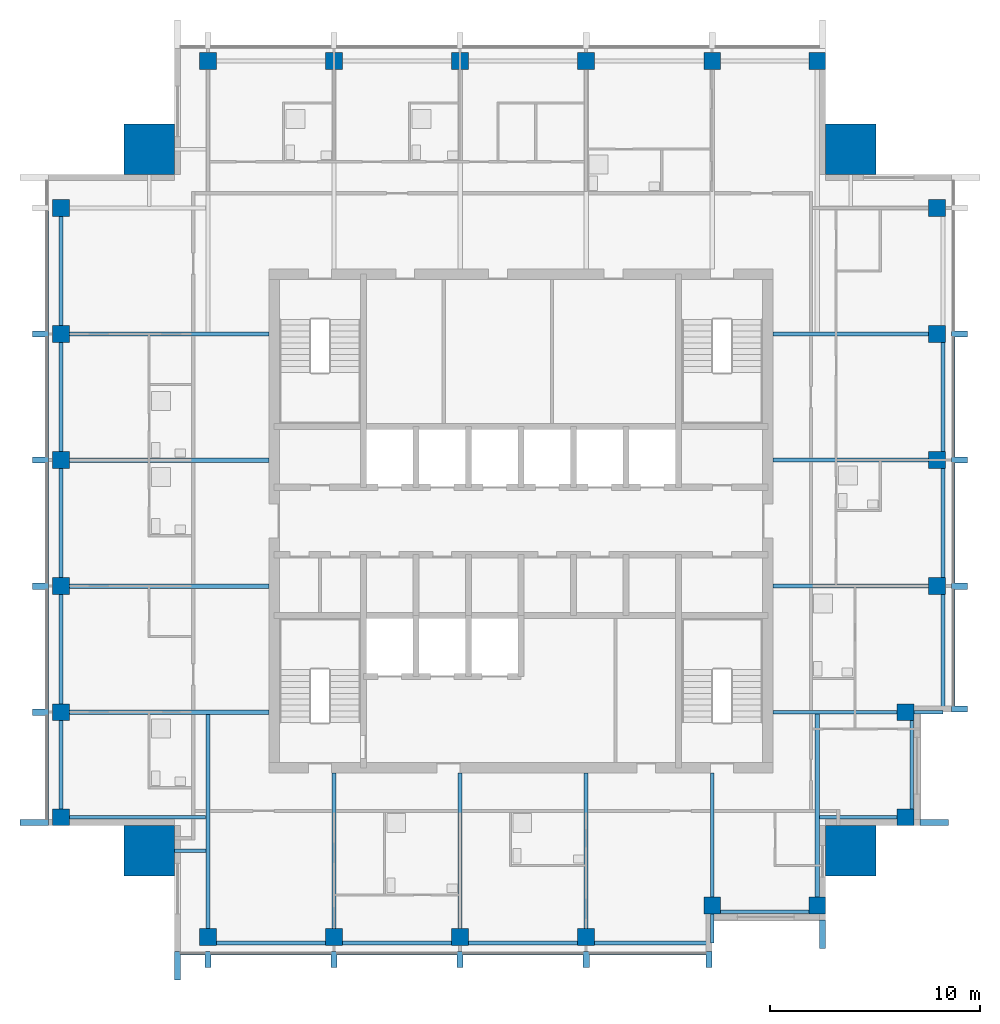
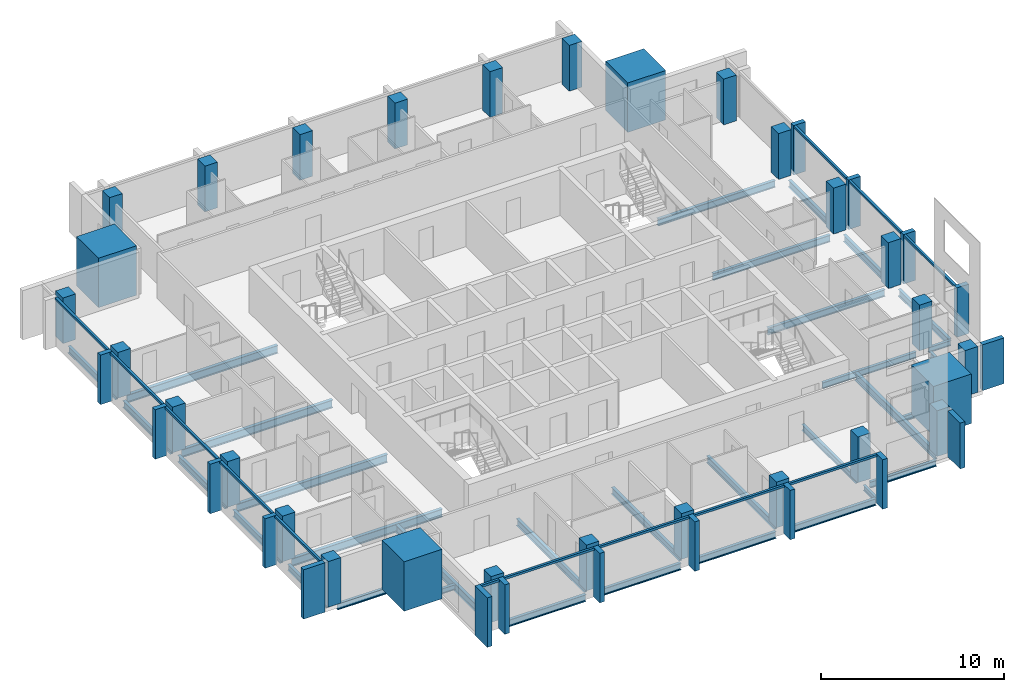
# One storey, part 1 of 9: 33 beams, 30 members, 28 columns, 3 elements without a shape of their own.
"""IFC4 building model written with IfcOpenShell, lengths in metres."""

from ifc_helpers import new_model, si_unit, direction, frame, origin, origin_2d, place, context, subcontext, project, spatial, rectangle, i_section, extrude, material, material_profile, profile_set, type_object, element, aggregate, save


model = new_model("IFC4")

# Units and contexts
model_context = context("Model", 3, precision=1e-05, world=origin(), true_north=direction((0.0, 1.0)))
body_context = subcontext(model_context, "Body", "Model", "MODEL_VIEW")
ifc_project = project(units=[si_unit("LENGTHUNIT", "METRE"), si_unit("AREAUNIT", "SQUARE_METRE"), si_unit("VOLUMEUNIT", "CUBIC_METRE"), si_unit("PLANEANGLEUNIT", "RADIAN"), si_unit("MASSUNIT", "GRAM", prefix="KILO")], contexts=[model_context])

# Site, building, storey
site_placement = place(None, origin())
site = spatial("IfcSite", under=ifc_project, at=site_placement, CompositionType="ELEMENT")
building_placement = place(site_placement, origin())
building = spatial("IfcBuilding", under=site, at=building_placement, Name="Amberfall Residences", CompositionType="ELEMENT")
storey_placement = place(building_placement, frame((0.0, 0.0, 248.800048828125)))
storey = spatial("IfcBuildingStorey", under=building, at=storey_placement, Name="L66", CompositionType="ELEMENT", Elevation=248.800048828125)

# Columns
ifc_material_1 = material(Name="Concrete C50", Category="concrete")
ifc_material_profile_1 = material_profile(ifc_material_1, rectangle(XDim=0.800048828125, YDim=0.800048828125, at=origin_2d()), Name="Column 800 x 800 C50")
ifc_profile_set_1 = profile_set([ifc_material_profile_1], Name="Concrete C50")
column_type_1 = type_object("IfcColumnType", Name="Column 800 x 800 C50", PredefinedType="COLUMN", material=ifc_profile_set_1)
for number, where, z_axis, x_axis, name in (
    (1, (59.60009765625, 25.699951171875, 0.0), (0.0, 0.0, 1.0), (1.0, 0.0, 0.0), "Column C5 L66 S1"),
    (2, (65.60009765625, 25.699951171875, 0.0), (0.0, 0.0, 1.0), (1.0, 0.0, 0.0), "Column C5 L66 S2"),
    (3, (71.60009765625, 25.699951171875, 0.0), (0.0, 0.0, 1.0), (1.0, 0.0, 0.0), "Column C5 L66 S3"),
    (4, (77.60009765625, 25.699951171875, 0.0), (0.0, 0.0, 1.0), (1.0, 0.0, 0.0), "Column C5 L66 S4"),
    (5, (83.60009765625, 27.199951171875, 0.0), (0.0, 0.0, 1.0), (1.0, 0.0, 0.0), "Column C5 L66 S5"),
    (6, (88.60009765625, 27.199951171875, 0.0), (0.0, 0.0, 1.0), (1.0, 0.0, 0.0), "Column C5 L66 S6"),
    (7, (92.800048828125, 31.39990234375, 0.0), (0.0, 0.0, 1.0), (1.0, 0.0, 0.0), "Column C5 L66 E1"),
    (8, (92.800048828125, 36.39990234375, 0.0), (0.0, 0.0, 1.0), (1.0, 0.0, 0.0), "Column C5 L66 E2"),
    (9, (94.300048828125, 42.39990234375, 0.0), (0.0, 0.0, 1.0), (1.0, 0.0, 0.0), "Column C5 L66 E3"),
    (10, (94.300048828125, 48.39990234375, 0.0), (0.0, 0.0, 1.0), (1.0, 0.0, 0.0), "Column C5 L66 E4"),
    (11, (94.300048828125, 54.39990234375, 0.0), (0.0, 0.0, 1.0), (1.0, 0.0, 0.0), "Column C5 L66 E5"),
    (12, (94.300048828125, 60.39990234375, 0.0), (0.0, 0.0, 1.0), (1.0, 0.0, 0.0), "Column C5 L66 E6"),
    (13, (59.60009765625, 67.39990234375, 0.0), (0.0, 0.0, 1.0), (1.0, 0.0, 0.0), "Column C5 L66 N1"),
    (14, (65.60009765625, 67.39990234375, 0.0), (0.0, 0.0, 1.0), (1.0, 0.0, 0.0), "Column C5 L66 N2"),
    (15, (71.60009765625, 67.39990234375, 0.0), (0.0, 0.0, 1.0), (1.0, 0.0, 0.0), "Column C5 L66 N3"),
    (16, (77.60009765625, 67.39990234375, 0.0), (0.0, 0.0, 1.0), (1.0, 0.0, 0.0), "Column C5 L66 N4"),
    (17, (83.60009765625, 67.39990234375, 0.0), (0.0, 0.0, 1.0), (1.0, 0.0, 0.0), "Column C5 L66 N5"),
    (18, (88.60009765625, 67.39990234375, 0.0), (0.0, 0.0, 1.0), (1.0, 0.0, 0.0), "Column C5 L66 N6"),
    (19, (52.60009765625, 31.39990234375, 0.0), (0.0, 0.0, 1.0), (1.0, 0.0, 0.0), "Column C5 L66 W1"),
    (20, (52.60009765625, 36.39990234375, 0.0), (0.0, 0.0, 1.0), (1.0, 0.0, 0.0), "Column C5 L66 W2"),
    (21, (52.60009765625, 42.39990234375, 0.0), (0.0, 0.0, 1.0), (1.0, 0.0, 0.0), "Column C5 L66 W3"),
    (22, (52.60009765625, 48.39990234375, 0.0), (0.0, 0.0, 1.0), (1.0, 0.0, 0.0), "Column C5 L66 W4"),
    (23, (52.60009765625, 54.39990234375, 0.0), (0.0, 0.0, 1.0), (1.0, 0.0, 0.0), "Column C5 L66 W5"),
    (24, (52.60009765625, 60.39990234375, 0.0), (0.0, 0.0, 1.0), (1.0, 0.0, 0.0), "Column C5 L66 W6"),
):
    element("IfcColumn", number, at=place(storey_placement, frame(where, z_axis=z_axis, x_axis=x_axis)), inside=storey, type_object=column_type_1, Name=name, PredefinedType="COLUMN", context=body_context, shape_type="SweptSolid", body=[
        extrude(rectangle(XDim=0.800048828125, YDim=0.800048828125, at=origin_2d()), origin(), (0.0, 0.0, 1.0), 3.050048828125),
    ])
ifc_material_profile_2 = material_profile(ifc_material_1, rectangle(XDim=2.39990234375, YDim=2.39990234375, at=origin_2d()), Name="Mega column 2400 x 2400 C50")
ifc_profile_set_2 = profile_set([ifc_material_profile_2], Name="Concrete C50")
column_type_2 = type_object("IfcColumnType", Name="Mega column 2400 x 2400 C50", PredefinedType="COLUMN", material=ifc_profile_set_2)
for number, where, z_axis, x_axis, name in (
    (25, (56.800048828125, 29.800048828125, 0.0), (0.0, 0.0, 1.0), (1.0, 0.0, 0.0), "Mega column MC11 L66 SW"),
    (26, (90.199951171875, 29.800048828125, 0.0), (0.0, 0.0, 1.0), (1.0, 0.0, 0.0), "Mega column MC11 L66 SE"),
    (27, (90.199951171875, 63.199951171875, 0.0), (0.0, 0.0, 1.0), (1.0, 0.0, 0.0), "Mega column MC11 L66 NE"),
    (28, (56.800048828125, 63.199951171875, 0.0), (0.0, 0.0, 1.0), (1.0, 0.0, 0.0), "Mega column MC11 L66 NW"),
):
    element("IfcColumn", number, at=place(storey_placement, frame(where, z_axis=z_axis, x_axis=x_axis)), inside=storey, type_object=column_type_2, Name=name, PredefinedType="COLUMN", context=body_context, shape_type="SweptSolid", body=[
        extrude(rectangle(XDim=2.39990234375, YDim=2.39990234375, at=origin_2d()), origin(), (0.0, 0.0, 1.0), 3.300048828125),
    ])

# Curtain wall, members
ifc_material_2 = material(Name="Bronze anodised aluminium and glass", Category="aluminium")
curtain_wall_type = type_object("IfcCurtainWallType", Name="Curtain wall CW1 tower unit", PredefinedType="USERDEFINED", material=ifc_material_2)
curtain_wall_1_placement = place(storey_placement, origin())
curtain_wall_1 = element("IfcCurtainWall", 29, at=curtain_wall_1_placement, inside=storey, type_object=curtain_wall_type, Name="Curtain wall L66 S S1", ObjectType="UNITISED CURTAIN WALL", PredefinedType="USERDEFINED")
ifc_material_3 = material(Name="Bronze anodised aluminium", Category="aluminium")
ifc_material_profile_3 = material_profile(ifc_material_3, rectangle(XDim=0.14990234375, YDim=0.14990234375, at=origin_2d()), Name="CW1 transom 150 x 150 bronze")
ifc_profile_set_3 = profile_set([ifc_material_profile_3], Name="Bronze anodised aluminium")
member_type_1 = type_object("IfcMemberType", Name="CW1 transom 150 x 150 bronze", PredefinedType="USERDEFINED", material=ifc_profile_set_3)
member_1_placement = place(storey_placement, frame((58.300048828125, 24.925048828125, 2.974853515625), z_axis=(1.0, 0.0, 0.0), x_axis=(0.0, 1.0, 0.0)))
member_1 = element("IfcMember", 30, at=member_1_placement, type_object=member_type_1, Name="CW1 transom 1.1", ObjectType="TRANSOM", PredefinedType="USERDEFINED", context=body_context, shape_type="SweptSolid", body=[
    extrude(rectangle(XDim=0.14990234375, YDim=0.14990234375, at=origin_2d()), origin(), (0.0, 0.0, 1.0), 1.14990234375),
])
member_2_placement = place(storey_placement, frame((59.75, 24.925048828125, 2.974853515625), z_axis=(1.0, 0.0, 0.0), x_axis=(0.0, 1.0, 0.0)))
member_2 = element("IfcMember", 31, at=member_2_placement, type_object=member_type_1, Name="CW1 transom 2.1", ObjectType="TRANSOM", PredefinedType="USERDEFINED", context=body_context, shape_type="SweptSolid", body=[
    extrude(rectangle(XDim=0.14990234375, YDim=0.14990234375, at=origin_2d()), origin(), (0.0, 0.0, 1.0), 5.699951171875),
])
member_3_placement = place(storey_placement, frame((65.75, 24.925048828125, 2.974853515625), z_axis=(1.0, 0.0, 0.0), x_axis=(0.0, 1.0, 0.0)))
member_3 = element("IfcMember", 32, at=member_3_placement, type_object=member_type_1, Name="CW1 transom 3.1", ObjectType="TRANSOM", PredefinedType="USERDEFINED", context=body_context, shape_type="SweptSolid", body=[
    extrude(rectangle(XDim=0.14990234375, YDim=0.14990234375, at=origin_2d()), origin(), (0.0, 0.0, 1.0), 5.699951171875),
])
member_4_placement = place(storey_placement, frame((71.75, 24.925048828125, 2.974853515625), z_axis=(1.0, 0.0, 0.0), x_axis=(0.0, 1.0, 0.0)))
member_4 = element("IfcMember", 33, at=member_4_placement, type_object=member_type_1, Name="CW1 transom 4.1", ObjectType="TRANSOM", PredefinedType="USERDEFINED", context=body_context, shape_type="SweptSolid", body=[
    extrude(rectangle(XDim=0.14990234375, YDim=0.14990234375, at=origin_2d()), origin(), (0.0, 0.0, 1.0), 5.699951171875),
])
member_5_placement = place(storey_placement, frame((77.75, 24.925048828125, 2.974853515625), z_axis=(1.0, 0.0, 0.0), x_axis=(0.0, 1.0, 0.0)))
member_5 = element("IfcMember", 34, at=member_5_placement, type_object=member_type_1, Name="CW1 transom 5.1", ObjectType="TRANSOM", PredefinedType="USERDEFINED", context=body_context, shape_type="SweptSolid", body=[
    extrude(rectangle(XDim=0.14990234375, YDim=0.14990234375, at=origin_2d()), origin(), (0.0, 0.0, 1.0), 5.550048828125),
])

curtain_wall_2_placement = place(storey_placement, origin())
curtain_wall_2 = element("IfcCurtainWall", 35, at=curtain_wall_2_placement, inside=storey, type_object=curtain_wall_type, Name="Curtain wall L66 E E3", ObjectType="UNITISED CURTAIN WALL", PredefinedType="USERDEFINED")
member_6_placement = place(storey_placement, frame((95.074951171875, 36.699951171875, 2.974853515625), z_axis=(0.0, 1.0, 0.0), x_axis=(-1.0, 0.0, 0.0)))
member_6 = element("IfcMember", 36, at=member_6_placement, type_object=member_type_1, Name="CW1 transom 1.1", ObjectType="TRANSOM", PredefinedType="USERDEFINED", context=body_context, shape_type="SweptSolid", body=[
    extrude(rectangle(XDim=0.14990234375, YDim=0.14990234375, at=origin_2d()), origin(), (0.0, 0.0, 1.0), 5.550048828125),
])
member_7_placement = place(storey_placement, frame((95.074951171875, 42.550048828125, 2.974853515625), z_axis=(0.0, 1.0, 0.0), x_axis=(-1.0, 0.0, 0.0)))
member_7 = element("IfcMember", 37, at=member_7_placement, type_object=member_type_1, Name="CW1 transom 2.1", ObjectType="TRANSOM", PredefinedType="USERDEFINED", context=body_context, shape_type="SweptSolid", body=[
    extrude(rectangle(XDim=0.14990234375, YDim=0.14990234375, at=origin_2d()), origin(), (0.0, 0.0, 1.0), 5.699951171875),
])
member_8_placement = place(storey_placement, frame((95.074951171875, 48.550048828125, 2.974853515625), z_axis=(0.0, 1.0, 0.0), x_axis=(-1.0, 0.0, 0.0)))
member_8 = element("IfcMember", 38, at=member_8_placement, type_object=member_type_1, Name="CW1 transom 3.1", ObjectType="TRANSOM", PredefinedType="USERDEFINED", context=body_context, shape_type="SweptSolid", body=[
    extrude(rectangle(XDim=0.14990234375, YDim=0.14990234375, at=origin_2d()), origin(), (0.0, 0.0, 1.0), 5.699951171875),
])

curtain_wall_3_placement = place(storey_placement, origin())
curtain_wall_3 = element("IfcCurtainWall", 39, at=curtain_wall_3_placement, inside=storey, type_object=curtain_wall_type, Name="Curtain wall L66 W W1", ObjectType="UNITISED CURTAIN WALL", PredefinedType="USERDEFINED")
member_9_placement = place(storey_placement, frame((51.925048828125, 60.25, 2.974853515625), z_axis=(0.0, -1.0, 0.0), x_axis=(1.0, 0.0, 0.0)))
member_9 = element("IfcMember", 40, at=member_9_placement, type_object=member_type_1, Name="CW1 transom 2.1", ObjectType="TRANSOM", PredefinedType="USERDEFINED", context=body_context, shape_type="SweptSolid", body=[
    extrude(rectangle(XDim=0.14990234375, YDim=0.14990234375, at=origin_2d()), origin(), (0.0, 0.0, 1.0), 5.699951171875),
])
member_10_placement = place(storey_placement, frame((51.925048828125, 54.25, 2.974853515625), z_axis=(0.0, -1.0, 0.0), x_axis=(1.0, 0.0, 0.0)))
member_10 = element("IfcMember", 41, at=member_10_placement, type_object=member_type_1, Name="CW1 transom 3.1", ObjectType="TRANSOM", PredefinedType="USERDEFINED", context=body_context, shape_type="SweptSolid", body=[
    extrude(rectangle(XDim=0.14990234375, YDim=0.14990234375, at=origin_2d()), origin(), (0.0, 0.0, 1.0), 5.699951171875),
])
member_11_placement = place(storey_placement, frame((51.925048828125, 48.25, 2.974853515625), z_axis=(0.0, -1.0, 0.0), x_axis=(1.0, 0.0, 0.0)))
member_11 = element("IfcMember", 42, at=member_11_placement, type_object=member_type_1, Name="CW1 transom 4.1", ObjectType="TRANSOM", PredefinedType="USERDEFINED", context=body_context, shape_type="SweptSolid", body=[
    extrude(rectangle(XDim=0.14990234375, YDim=0.14990234375, at=origin_2d()), origin(), (0.0, 0.0, 1.0), 5.699951171875),
])
member_12_placement = place(storey_placement, frame((51.925048828125, 42.25, 2.974853515625), z_axis=(0.0, -1.0, 0.0), x_axis=(1.0, 0.0, 0.0)))
member_12 = element("IfcMember", 43, at=member_12_placement, type_object=member_type_1, Name="CW1 transom 5.1", ObjectType="TRANSOM", PredefinedType="USERDEFINED", context=body_context, shape_type="SweptSolid", body=[
    extrude(rectangle(XDim=0.14990234375, YDim=0.14990234375, at=origin_2d()), origin(), (0.0, 0.0, 1.0), 5.699951171875),
])
member_13_placement = place(storey_placement, frame((51.925048828125, 36.25, 2.974853515625), z_axis=(0.0, -1.0, 0.0), x_axis=(1.0, 0.0, 0.0)))
member_13 = element("IfcMember", 44, at=member_13_placement, type_object=member_type_1, Name="CW1 transom 6.1", ObjectType="TRANSOM", PredefinedType="USERDEFINED", context=body_context, shape_type="SweptSolid", body=[
    extrude(rectangle(XDim=0.14990234375, YDim=0.14990234375, at=origin_2d()), origin(), (0.0, 0.0, 1.0), 4.949951171875),
])

# Beams
ifc_material_4 = material(Name="Steel S355", Category="steel")
ifc_material_profile_4 = material_profile(ifc_material_4, i_section(OverallWidth=0.171142578125, OverallDepth=0.351318359375, WebThickness=0.007080078125, FlangeThickness=0.009765625, FilletRadius=0.01025390625, at=origin_2d()), Name="UB 356x171x45")
ifc_profile_set_4 = profile_set([ifc_material_profile_4], Name="Steel S355")
beam_type_1 = type_object("IfcBeamType", Name="Cantilever girder UB 356x171x45", PredefinedType="BEAM", material=ifc_profile_set_4)
for number, where, z_axis, x_axis, name in (
    (45, (83.60009765625, 26.800048828125, -0.42578125), (0.0, -1.0, 0.0), (1.0, 0.0, 0.0), "Cantilever girder B8 L66 06"),
    (46, (93.199951171875, 36.39990234375, -0.42578125), (1.0, 0.0, 0.0), (0.0, 1.0, 0.0), "Cantilever girder B8 L66 18"),
):
    element("IfcBeam", number, at=place(storey_placement, frame(where, z_axis=z_axis, x_axis=x_axis)), inside=storey, type_object=beam_type_1, Name=name, PredefinedType="BEAM", context=body_context, shape_type="SweptSolid", body=[
        extrude(i_section(OverallWidth=0.171142578125, OverallDepth=0.351318359375, WebThickness=0.007080078125, FlangeThickness=0.009765625, FilletRadius=0.01025390625, at=origin_2d()), origin(), (0.0, 0.0, 1.0), 1.400146484375),
    ])

# Member
ifc_material_profile_5 = material_profile(ifc_material_3, rectangle(XDim=1.35009765625, YDim=0.300048828125, at=origin_2d()), Name="Corner fin 300 x 1350 bronze")
ifc_profile_set_5 = profile_set([ifc_material_profile_5], Name="Bronze anodised aluminium")
member_type_2 = type_object("IfcMemberType", Name="Corner fin 300 x 1350 bronze", PredefinedType="MULLION", material=ifc_profile_set_5)
member_14_placement = place(storey_placement, frame((58.14990234375, 24.324951171875, -0.25), z_axis=(0.0, 0.0, 1.0), x_axis=(0.0, 1.0, 0.0)))
member_14 = element("IfcMember", 47, at=member_14_placement, type_object=member_type_2, Name="CW FIN 1", PredefinedType="MULLION", context=body_context, shape_type="SweptSolid", body=[
    extrude(rectangle(XDim=1.35009765625, YDim=0.300048828125, at=origin_2d()), origin(), (0.0, 0.0, 1.0), 3.300048828125),
])

member_15_placement = place(storey_placement, frame((51.324951171875, 31.14990234375, -0.25), z_axis=(0.0, 0.0, 1.0), x_axis=(1.0, 0.0, 0.0)))
member_15 = element("IfcMember", 48, at=member_15_placement, type_object=member_type_2, Name="CW FIN 7", PredefinedType="MULLION", context=body_context, shape_type="SweptSolid", body=[
    extrude(rectangle(XDim=1.35009765625, YDim=0.300048828125, at=origin_2d()), origin(), (0.0, 0.0, 1.0), 3.300048828125),
])

# Beams
ifc_material_profile_6 = material_profile(ifc_material_4, i_section(OverallWidth=0.177734375, OverallDepth=0.402587890625, WebThickness=0.0078125, FlangeThickness=0.010986328125, FilletRadius=0.01025390625, at=origin_2d()), Name="UB 406x178x54")
ifc_profile_set_6 = profile_set([ifc_material_profile_6], Name="Steel S355")
beam_type_2 = type_object("IfcBeamType", Name="Edge beam UB 406x178x54", PredefinedType="SPANDREL", material=ifc_profile_set_6)
for number, where, z_axis, x_axis, name in (
    (49, (84.0, 26.89990234375, -0.451416015625), (1.0, 0.0, 0.0), (0.0, 1.0, 0.0), "Edge beam B14 L66 05"),
    (50, (93.10009765625, 31.800048828125, -0.451416015625), (0.0, 1.0, 0.0), (-1.0, 0.0, 0.0), "Edge beam B14 L66 13"),
    (51, (52.60009765625, 31.800048828125, -0.451416015625), (0.0, 1.0, 0.0), (-1.0, 0.0, 0.0), "Edge beam B14 L66 36"),
):
    element("IfcBeam", number, at=place(storey_placement, frame(where, z_axis=z_axis, x_axis=x_axis)), inside=storey, type_object=beam_type_2, Name=name, PredefinedType="SPANDREL", context=body_context, shape_type="SweptSolid", body=[
        extrude(i_section(OverallWidth=0.177734375, OverallDepth=0.402587890625, WebThickness=0.0078125, FlangeThickness=0.010986328125, FilletRadius=0.01025390625, at=origin_2d()), origin(), (0.0, 0.0, 1.0), 4.199951171875),
    ])
ifc_material_profile_7 = material_profile(ifc_material_4, i_section(OverallWidth=0.18994140625, OverallDepth=0.453369140625, WebThickness=0.008544921875, FlangeThickness=0.0126953125, FilletRadius=0.01025390625, at=origin_2d()), Name="UB 457x191x67")
ifc_profile_set_7 = profile_set([ifc_material_profile_7], Name="Steel S355")
beam_type_3 = type_object("IfcBeamType", Name="Edge beam UB 457x191x67", PredefinedType="SPANDREL", material=ifc_profile_set_7)
for number, where, z_axis, x_axis, name in (
    (52, (60.0, 25.39990234375, -0.476806640625), (1.0, 0.0, 0.0), (0.0, 1.0, 0.0), "Edge beam B1 L66 01"),
    (53, (66.0, 25.39990234375, -0.476806640625), (1.0, 0.0, 0.0), (0.0, 1.0, 0.0), "Edge beam B1 L66 02"),
    (54, (72.0, 25.39990234375, -0.476806640625), (1.0, 0.0, 0.0), (0.0, 1.0, 0.0), "Edge beam B1 L66 03"),
):
    element("IfcBeam", number, at=place(storey_placement, frame(where, z_axis=z_axis, x_axis=x_axis)), inside=storey, type_object=beam_type_3, Name=name, PredefinedType="SPANDREL", context=body_context, shape_type="SweptSolid", body=[
        extrude(i_section(OverallWidth=0.18994140625, OverallDepth=0.453369140625, WebThickness=0.008544921875, FlangeThickness=0.0126953125, FilletRadius=0.01025390625, at=origin_2d()), origin(), (0.0, 0.0, 1.0), 5.199951171875),
    ])
for number, where, z_axis, x_axis, name in (
    (55, (78.0, 25.39990234375, -0.476806640625), (1.0, 0.0, 0.0), (0.0, 1.0, 0.0), "Edge beam B1 L66 04"),
    (56, (94.60009765625, 36.47998046875, -0.476806640625), (0.0, 1.0, 0.0), (-1.0, 0.0, 0.0), "Edge beam B1 L66 14"),
):
    element("IfcBeam", number, at=place(storey_placement, frame(where, z_axis=z_axis, x_axis=x_axis)), inside=storey, type_object=beam_type_3, Name=name, PredefinedType="SPANDREL", context=body_context, shape_type="SweptSolid", body=[
        extrude(i_section(OverallWidth=0.18994140625, OverallDepth=0.453369140625, WebThickness=0.008544921875, FlangeThickness=0.0126953125, FilletRadius=0.01025390625, at=origin_2d()), origin(), (0.0, 0.0, 1.0), 5.52001953125),
    ])
for number, where, z_axis, x_axis, name in (
    (57, (94.60009765625, 42.800048828125, -0.476806640625), (0.0, 1.0, 0.0), (-1.0, 0.0, 0.0), "Edge beam B1 L66 15"),
    (58, (94.60009765625, 48.800048828125, -0.476806640625), (0.0, 1.0, 0.0), (-1.0, 0.0, 0.0), "Edge beam B1 L66 16"),
    (59, (52.60009765625, 36.800048828125, -0.476806640625), (0.0, 1.0, 0.0), (-1.0, 0.0, 0.0), "Edge beam B1 L66 37"),
    (60, (52.60009765625, 42.800048828125, -0.476806640625), (0.0, 1.0, 0.0), (-1.0, 0.0, 0.0), "Edge beam B1 L66 38"),
    (61, (52.60009765625, 48.800048828125, -0.476806640625), (0.0, 1.0, 0.0), (-1.0, 0.0, 0.0), "Edge beam B1 L66 39"),
    (62, (52.60009765625, 54.800048828125, -0.476806640625), (0.0, 1.0, 0.0), (-1.0, 0.0, 0.0), "Edge beam B1 L66 40"),
):
    element("IfcBeam", number, at=place(storey_placement, frame(where, z_axis=z_axis, x_axis=x_axis)), inside=storey, type_object=beam_type_3, Name=name, PredefinedType="SPANDREL", context=body_context, shape_type="SweptSolid", body=[
        extrude(i_section(OverallWidth=0.18994140625, OverallDepth=0.453369140625, WebThickness=0.008544921875, FlangeThickness=0.0126953125, FilletRadius=0.01025390625, at=origin_2d()), origin(), (0.0, 0.0, 1.0), 5.199951171875),
    ])

# Member
ifc_material_profile_8 = material_profile(ifc_material_3, rectangle(XDim=0.75, YDim=0.300048828125, at=origin_2d()), Name="Fin 300 x 750 bronze")
ifc_profile_set_8 = profile_set([ifc_material_profile_8], Name="Bronze anodised aluminium")
member_type_3 = type_object("IfcMemberType", Name="Fin 300 x 750 bronze", PredefinedType="MULLION", material=ifc_profile_set_8)
member_16_placement = place(storey_placement, frame((59.60009765625, 24.625, -0.25), z_axis=(0.0, 0.0, 1.0), x_axis=(0.0, 1.0, 0.0)))
member_16 = element("IfcMember", 63, at=member_16_placement, type_object=member_type_3, Name="CW FIN 2", PredefinedType="MULLION", context=body_context, shape_type="SweptSolid", body=[
    extrude(rectangle(XDim=0.75, YDim=0.300048828125, at=origin_2d()), origin(), (0.0, 0.0, 1.0), 3.300048828125),
])

member_17_placement = place(storey_placement, frame((65.60009765625, 24.625, -0.25), z_axis=(0.0, 0.0, 1.0), x_axis=(0.0, 1.0, 0.0)))
member_17 = element("IfcMember", 64, at=member_17_placement, type_object=member_type_3, Name="CW FIN 3", PredefinedType="MULLION", context=body_context, shape_type="SweptSolid", body=[
    extrude(rectangle(XDim=0.75, YDim=0.300048828125, at=origin_2d()), origin(), (0.0, 0.0, 1.0), 3.300048828125),
])

member_18_placement = place(storey_placement, frame((71.60009765625, 24.625, -0.25), z_axis=(0.0, 0.0, 1.0), x_axis=(0.0, 1.0, 0.0)))
member_18 = element("IfcMember", 65, at=member_18_placement, type_object=member_type_3, Name="CW FIN 4", PredefinedType="MULLION", context=body_context, shape_type="SweptSolid", body=[
    extrude(rectangle(XDim=0.75, YDim=0.300048828125, at=origin_2d()), origin(), (0.0, 0.0, 1.0), 3.300048828125),
])

member_19_placement = place(storey_placement, frame((77.60009765625, 24.625, -0.25), z_axis=(0.0, 0.0, 1.0), x_axis=(0.0, 1.0, 0.0)))
member_19 = element("IfcMember", 66, at=member_19_placement, type_object=member_type_3, Name="CW FIN 5", PredefinedType="MULLION", context=body_context, shape_type="SweptSolid", body=[
    extrude(rectangle(XDim=0.75, YDim=0.300048828125, at=origin_2d()), origin(), (0.0, 0.0, 1.0), 3.300048828125),
])

member_20_placement = place(storey_placement, frame((83.449951171875, 24.625, -0.25), z_axis=(0.0, 0.0, 1.0), x_axis=(0.0, 1.0, 0.0)))
member_20 = element("IfcMember", 67, at=member_20_placement, type_object=member_type_3, Name="CW FIN 6", PredefinedType="MULLION", context=body_context, shape_type="SweptSolid", body=[
    extrude(rectangle(XDim=0.75, YDim=0.300048828125, at=origin_2d()), origin(), (0.0, 0.0, 1.0), 3.300048828125),
])

aggregate(curtain_wall_1, [member_14, member_16, member_17, member_18, member_19, member_20, member_1, member_2, member_3, member_4, member_5])

member_21_placement = place(storey_placement, frame((95.375, 36.550048828125, -0.25), z_axis=(0.0, 0.0, 1.0), x_axis=(-1.0, 0.0, 0.0)))
member_21 = element("IfcMember", 68, at=member_21_placement, type_object=member_type_3, Name="CW FIN 1", PredefinedType="MULLION", context=body_context, shape_type="SweptSolid", body=[
    extrude(rectangle(XDim=0.75, YDim=0.300048828125, at=origin_2d()), origin(), (0.0, 0.0, 1.0), 3.300048828125),
])

member_22_placement = place(storey_placement, frame((95.375, 42.39990234375, -0.25), z_axis=(0.0, 0.0, 1.0), x_axis=(-1.0, 0.0, 0.0)))
member_22 = element("IfcMember", 69, at=member_22_placement, type_object=member_type_3, Name="CW FIN 2", PredefinedType="MULLION", context=body_context, shape_type="SweptSolid", body=[
    extrude(rectangle(XDim=0.75, YDim=0.300048828125, at=origin_2d()), origin(), (0.0, 0.0, 1.0), 3.300048828125),
])

member_23_placement = place(storey_placement, frame((95.375, 48.39990234375, -0.25), z_axis=(0.0, 0.0, 1.0), x_axis=(-1.0, 0.0, 0.0)))
member_23 = element("IfcMember", 70, at=member_23_placement, type_object=member_type_3, Name="CW FIN 3", PredefinedType="MULLION", context=body_context, shape_type="SweptSolid", body=[
    extrude(rectangle(XDim=0.75, YDim=0.300048828125, at=origin_2d()), origin(), (0.0, 0.0, 1.0), 3.300048828125),
])

member_24_placement = place(storey_placement, frame((95.375, 54.39990234375, -0.25), z_axis=(0.0, 0.0, 1.0), x_axis=(-1.0, 0.0, 0.0)))
member_24 = element("IfcMember", 71, at=member_24_placement, type_object=member_type_3, Name="CW FIN 4", PredefinedType="MULLION", context=body_context, shape_type="SweptSolid", body=[
    extrude(rectangle(XDim=0.75, YDim=0.300048828125, at=origin_2d()), origin(), (0.0, 0.0, 1.0), 3.300048828125),
])

aggregate(curtain_wall_2, [member_21, member_22, member_23, member_24, member_6, member_7, member_8])

member_25_placement = place(storey_placement, frame((51.625, 54.39990234375, -0.25), z_axis=(0.0, 0.0, 1.0), x_axis=(1.0, 0.0, 0.0)))
member_25 = element("IfcMember", 72, at=member_25_placement, type_object=member_type_3, Name="CW FIN 3", PredefinedType="MULLION", context=body_context, shape_type="SweptSolid", body=[
    extrude(rectangle(XDim=0.75, YDim=0.300048828125, at=origin_2d()), origin(), (0.0, 0.0, 1.0), 3.300048828125),
])

member_26_placement = place(storey_placement, frame((51.625, 48.39990234375, -0.25), z_axis=(0.0, 0.0, 1.0), x_axis=(1.0, 0.0, 0.0)))
member_26 = element("IfcMember", 73, at=member_26_placement, type_object=member_type_3, Name="CW FIN 4", PredefinedType="MULLION", context=body_context, shape_type="SweptSolid", body=[
    extrude(rectangle(XDim=0.75, YDim=0.300048828125, at=origin_2d()), origin(), (0.0, 0.0, 1.0), 3.300048828125),
])

member_27_placement = place(storey_placement, frame((51.625, 42.39990234375, -0.25), z_axis=(0.0, 0.0, 1.0), x_axis=(1.0, 0.0, 0.0)))
member_27 = element("IfcMember", 74, at=member_27_placement, type_object=member_type_3, Name="CW FIN 5", PredefinedType="MULLION", context=body_context, shape_type="SweptSolid", body=[
    extrude(rectangle(XDim=0.75, YDim=0.300048828125, at=origin_2d()), origin(), (0.0, 0.0, 1.0), 3.300048828125),
])

member_28_placement = place(storey_placement, frame((51.625, 36.39990234375, -0.25), z_axis=(0.0, 0.0, 1.0), x_axis=(1.0, 0.0, 0.0)))
member_28 = element("IfcMember", 75, at=member_28_placement, type_object=member_type_3, Name="CW FIN 6", PredefinedType="MULLION", context=body_context, shape_type="SweptSolid", body=[
    extrude(rectangle(XDim=0.75, YDim=0.300048828125, at=origin_2d()), origin(), (0.0, 0.0, 1.0), 3.300048828125),
])

aggregate(curtain_wall_3, [member_25, member_26, member_27, member_28, member_15, member_9, member_10, member_11, member_12, member_13])

# Beams
ifc_material_profile_9 = material_profile(ifc_material_4, i_section(OverallWidth=0.171142578125, OverallDepth=0.351318359375, WebThickness=0.007080078125, FlangeThickness=0.009765625, FilletRadius=0.01025390625, at=origin_2d()), Name="UB 356x171x45")
ifc_profile_set_9 = profile_set([ifc_material_profile_9], Name="Steel S355")
beam_type_4 = type_object("IfcBeamType", Name="Floor girder UB 356x171x45", PredefinedType="BEAM", material=ifc_profile_set_9)
beam_1_placement = place(storey_placement, frame((92.39990234375, 31.39990234375, -0.42578125), z_axis=(-1.0, 0.0, 0.0), x_axis=(0.0, -1.0, 0.0)))
element("IfcBeam", 76, at=beam_1_placement, inside=storey, type_object=beam_type_4, Name="Floor girder B11 L66 19", PredefinedType="BEAM", context=body_context, shape_type="SweptSolid", body=[
    extrude(i_section(OverallWidth=0.171142578125, OverallDepth=0.351318359375, WebThickness=0.007080078125, FlangeThickness=0.009765625, FilletRadius=0.01025390625, at=origin_2d()), origin(), (0.0, 0.0, 1.0), 3.679931640625),
])
ifc_material_profile_10 = material_profile(ifc_material_4, i_section(OverallWidth=0.177734375, OverallDepth=0.402587890625, WebThickness=0.0078125, FlangeThickness=0.010986328125, FilletRadius=0.01025390625, at=origin_2d()), Name="UB 406x178x54")
ifc_profile_set_10 = profile_set([ifc_material_profile_10], Name="Steel S355")
beam_type_5 = type_object("IfcBeamType", Name="Floor girder UB 406x178x54", PredefinedType="BEAM", material=ifc_profile_set_10)
for number, where, z_axis, x_axis, name in (
    (77, (83.60009765625, 27.60009765625, -0.451416015625), (0.0, 1.0, 0.0), (-1.0, 0.0, 0.0), "Floor girder B4 L66 11"),
    (78, (92.39990234375, 36.39990234375, -0.451416015625), (-1.0, 0.0, 0.0), (0.0, -1.0, 0.0), "Floor girder B4 L66 20"),
):
    element("IfcBeam", number, at=place(storey_placement, frame(where, z_axis=z_axis, x_axis=x_axis)), inside=storey, type_object=beam_type_5, Name=name, PredefinedType="BEAM", context=body_context, shape_type="SweptSolid", body=[
        extrude(i_section(OverallWidth=0.177734375, OverallDepth=0.402587890625, WebThickness=0.0078125, FlangeThickness=0.010986328125, FilletRadius=0.01025390625, at=origin_2d()), origin(), (0.0, 0.0, 1.0), 5.89990234375),
    ])
beam_2_placement = place(storey_placement, frame((53.0, 31.39990234375, -0.451416015625), z_axis=(1.0, 0.0, 0.0), x_axis=(0.0, 1.0, 0.0)))
element("IfcBeam", 79, at=beam_2_placement, inside=storey, type_object=beam_type_5, Name="Floor girder B4 L66 41", PredefinedType="BEAM", context=body_context, shape_type="SweptSolid", body=[
    extrude(i_section(OverallWidth=0.177734375, OverallDepth=0.402587890625, WebThickness=0.0078125, FlangeThickness=0.010986328125, FilletRadius=0.01025390625, at=origin_2d()), origin(), (0.0, 0.0, 1.0), 6.47998046875),
])
ifc_material_profile_11 = material_profile(ifc_material_4, i_section(OverallWidth=0.19140625, OverallDepth=0.4599609375, WebThickness=0.010009765625, FlangeThickness=0.01611328125, FilletRadius=0.01025390625, at=origin_2d()), Name="UB 457x191x82")
ifc_profile_set_11 = profile_set([ifc_material_profile_11], Name="Steel S355")
beam_type_6 = type_object("IfcBeamType", Name="Floor girder UB 457x191x82", PredefinedType="BEAM", material=ifc_profile_set_11)
for number, where, z_axis, x_axis, name in (
    (80, (65.60009765625, 26.10009765625, -0.47998046875), (0.0, 1.0, 0.0), (-1.0, 0.0, 0.0), "Floor girder B10 L66 08"),
    (81, (71.60009765625, 26.10009765625, -0.47998046875), (0.0, 1.0, 0.0), (-1.0, 0.0, 0.0), "Floor girder B10 L66 09"),
    (82, (77.60009765625, 26.10009765625, -0.47998046875), (0.0, 1.0, 0.0), (-1.0, 0.0, 0.0), "Floor girder B10 L66 10"),
    (83, (93.89990234375, 42.39990234375, -0.47998046875), (-1.0, 0.0, 0.0), (0.0, -1.0, 0.0), "Floor girder B10 L66 21"),
    (84, (93.89990234375, 48.39990234375, -0.47998046875), (-1.0, 0.0, 0.0), (0.0, -1.0, 0.0), "Floor girder B10 L66 22"),
    (85, (93.89990234375, 54.39990234375, -0.47998046875), (-1.0, 0.0, 0.0), (0.0, -1.0, 0.0), "Floor girder B10 L66 23"),
):
    element("IfcBeam", number, at=place(storey_placement, frame(where, z_axis=z_axis, x_axis=x_axis)), inside=storey, type_object=beam_type_6, Name=name, PredefinedType="BEAM", context=body_context, shape_type="SweptSolid", body=[
        extrude(i_section(OverallWidth=0.19140625, OverallDepth=0.4599609375, WebThickness=0.010009765625, FlangeThickness=0.01611328125, FilletRadius=0.01025390625, at=origin_2d()), origin(), (0.0, 0.0, 1.0), 7.39990234375),
    ])
ifc_material_profile_12 = material_profile(ifc_material_4, i_section(OverallWidth=0.209228515625, OverallDepth=0.533203125, WebThickness=0.010009765625, FlangeThickness=0.015625, FilletRadius=0.0126953125, at=origin_2d()), Name="UB 533x210x92")
ifc_profile_set_12 = profile_set([ifc_material_profile_12], Name="Steel S355")
beam_type_7 = type_object("IfcBeamType", Name="Floor girder UB 533x210x92", PredefinedType="BEAM", material=ifc_profile_set_12)
beam_3_placement = place(storey_placement, frame((59.60009765625, 26.10009765625, -0.5166015625), z_axis=(0.0, 1.0, 0.0), x_axis=(-1.0, 0.0, 0.0)))
element("IfcBeam", 86, at=beam_3_placement, inside=storey, type_object=beam_type_7, Name="Floor girder B3 L66 07", PredefinedType="BEAM", context=body_context, shape_type="SweptSolid", body=[
    extrude(i_section(OverallWidth=0.209228515625, OverallDepth=0.533203125, WebThickness=0.010009765625, FlangeThickness=0.015625, FilletRadius=0.0126953125, at=origin_2d()), origin(), (0.0, 0.0, 1.0), 10.2001953125),
])
beam_4_placement = place(storey_placement, frame((88.60009765625, 27.60009765625, -0.5166015625), z_axis=(0.0, 1.0, 0.0), x_axis=(-1.0, 0.0, 0.0)))
element("IfcBeam", 87, at=beam_4_placement, inside=storey, type_object=beam_type_7, Name="Floor girder B3 L66 12", PredefinedType="BEAM", context=body_context, shape_type="SweptSolid", body=[
    extrude(i_section(OverallWidth=0.209228515625, OverallDepth=0.533203125, WebThickness=0.010009765625, FlangeThickness=0.015625, FilletRadius=0.0126953125, at=origin_2d()), origin(), (0.0, 0.0, 1.0), 8.716064453125),
])
for number, where, z_axis, x_axis, name in (
    (88, (53.0, 36.39990234375, -0.5166015625), (1.0, 0.0, 0.0), (0.0, 1.0, 0.0), "Floor girder B3 L66 42"),
    (89, (53.0, 42.39990234375, -0.5166015625), (1.0, 0.0, 0.0), (0.0, 1.0, 0.0), "Floor girder B3 L66 43"),
    (90, (53.0, 48.39990234375, -0.5166015625), (1.0, 0.0, 0.0), (0.0, 1.0, 0.0), "Floor girder B3 L66 44"),
    (91, (53.0, 54.39990234375, -0.5166015625), (1.0, 0.0, 0.0), (0.0, 1.0, 0.0), "Floor girder B3 L66 45"),
):
    element("IfcBeam", number, at=place(storey_placement, frame(where, z_axis=z_axis, x_axis=x_axis)), inside=storey, type_object=beam_type_7, Name=name, PredefinedType="BEAM", context=body_context, shape_type="SweptSolid", body=[
        extrude(i_section(OverallWidth=0.209228515625, OverallDepth=0.533203125, WebThickness=0.010009765625, FlangeThickness=0.015625, FilletRadius=0.0126953125, at=origin_2d()), origin(), (0.0, 0.0, 1.0), 9.5),
    ])
ifc_material_profile_13 = material_profile(ifc_material_4, i_section(OverallWidth=0.171142578125, OverallDepth=0.351318359375, WebThickness=0.007080078125, FlangeThickness=0.009765625, FilletRadius=0.01025390625, at=origin_2d()), Name="UB 356x171x45")
ifc_profile_set_13 = profile_set([ifc_material_profile_13], Name="Steel S355")
beam_type_8 = type_object("IfcBeamType", Name="Link beam UB 356x171x45", PredefinedType="BEAM", material=ifc_profile_set_13)
beam_5_placement = place(storey_placement, frame((58.0, 29.800048828125, -0.42578125), z_axis=(1.0, 0.0, 0.0), x_axis=(0.0, 1.0, 0.0)))
element("IfcBeam", 92, at=beam_5_placement, inside=storey, type_object=beam_type_8, Name="Link beam B7 L66 47", PredefinedType="BEAM", context=body_context, shape_type="SweptSolid", body=[
    extrude(i_section(OverallWidth=0.171142578125, OverallDepth=0.351318359375, WebThickness=0.007080078125, FlangeThickness=0.009765625, FilletRadius=0.01025390625, at=origin_2d()), origin(), (0.0, 0.0, 1.0), 1.50537109375),
])

# Members
ifc_material_profile_14 = material_profile(ifc_material_3, rectangle(XDim=1.35009765625, YDim=0.300048828125, at=origin_2d()), Name="Stone corner fin 300 x 1350 bronze")
ifc_profile_set_14 = profile_set([ifc_material_profile_14], Name="Bronze anodised aluminium")
member_type_4 = type_object("IfcMemberType", Name="Stone corner fin 300 x 1350 bronze", PredefinedType="MEMBER", material=ifc_profile_set_14)
for number, where, z_axis, x_axis, name in (
    (93, (88.85009765625, 25.824951171875, 0.0), (0.0, 0.0, 1.0), (0.0, 1.0, 0.0), "Corner fin S"),
    (94, (94.175048828125, 31.14990234375, 0.0), (0.0, 0.0, 1.0), (-1.0, 0.0, 0.0), "Corner fin E"),
):
    element("IfcMember", number, at=place(storey_placement, frame(where, z_axis=z_axis, x_axis=x_axis)), inside=storey, type_object=member_type_4, Name=name, PredefinedType="MEMBER", context=body_context, shape_type="SweptSolid", body=[
        extrude(rectangle(XDim=1.35009765625, YDim=0.300048828125, at=origin_2d()), origin(), (0.0, 0.0, 1.0), 3.050048828125),
    ])

save(model, "model.ifc")
